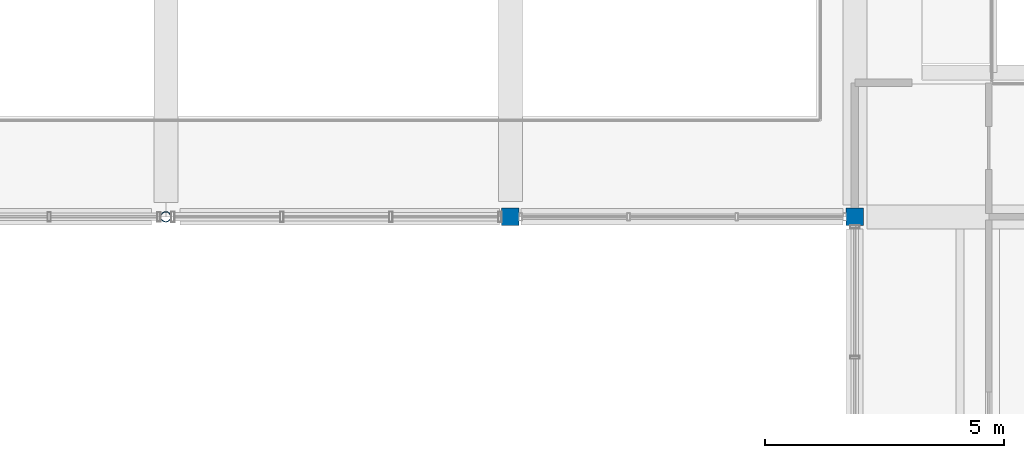
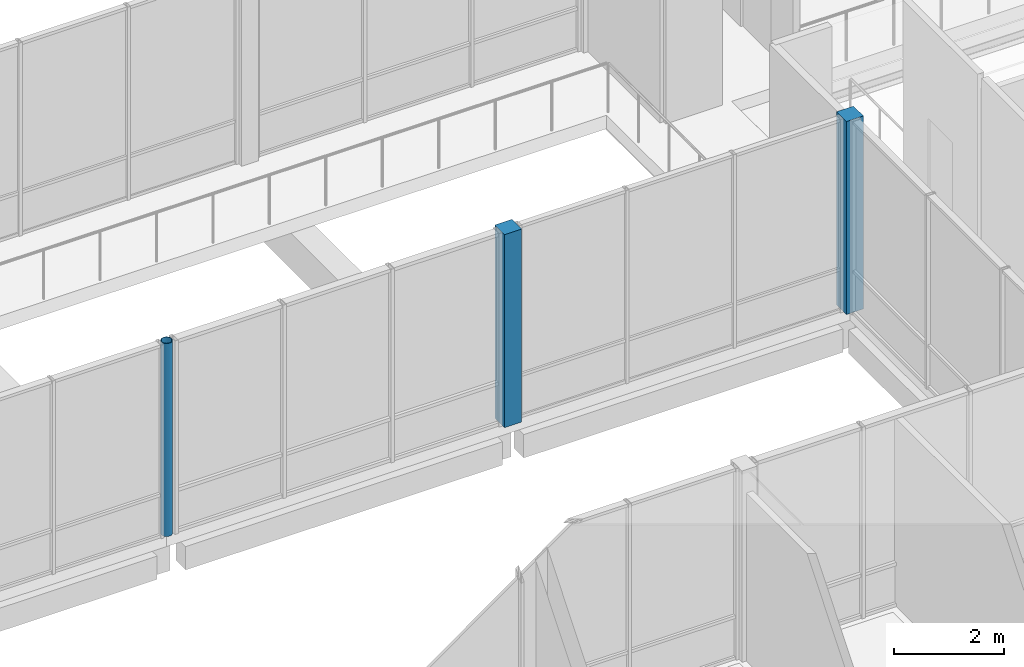
# One storey, part 4 of 146: 3 columns.
"""IFC4 building model written with IfcOpenShell, lengths in metres."""

from ifc_helpers import new_model, si_unit, direction, frame, origin, origin_2d, place, context, subcontext, project, spatial, rectangle, hollow_circle, extrude, material, material_profile, profile_set, type_object, element, save


model = new_model("IFC4")

# Units and contexts
model_context = context("Model", 3, precision=1e-05, world=origin(), true_north=direction((0.0, 1.0)))
body_context = subcontext(model_context, "Body", "Model", "MODEL_VIEW")
ifc_project = project(units=[si_unit("LENGTHUNIT", "METRE"), si_unit("AREAUNIT", "SQUARE_METRE"), si_unit("VOLUMEUNIT", "CUBIC_METRE"), si_unit("PLANEANGLEUNIT", "RADIAN"), si_unit("MASSUNIT", "GRAM", prefix="KILO")], contexts=[model_context])

# Site, building, storey
site_placement = place(None, origin())
site = spatial("IfcSite", under=ifc_project, at=site_placement, CompositionType="ELEMENT")
building_placement = place(site_placement, origin())
building = spatial("IfcBuilding", under=site, at=building_placement, Name="Hawrajan Terrace Health Centre", CompositionType="ELEMENT")
storey_placement = place(building_placement, frame((0.0, 0.0, 4.5)))
storey = spatial("IfcBuildingStorey", under=building, at=storey_placement, Name="L01", CompositionType="ELEMENT", Elevation=4.5)

# Columns
ifc_material_1 = material(Name="Glulam GL32h", Category="wood")
ifc_material_profile_1 = material_profile(ifc_material_1, rectangle(XDim=0.360107421875, YDim=0.360107421875, at=origin_2d()), Name="GL 360x360")
ifc_profile_set_1 = profile_set([ifc_material_profile_1], Name="Glulam GL32h")
column_type_1 = type_object("IfcColumnType", Name="GlulamCol_360x360", PredefinedType="COLUMN", material=ifc_profile_set_1)
for number, where, z_axis, x_axis, name in (
    (1, (55.0, 27.199951171875, 0.0), (0.0, 0.0, 1.0), (1.0, 0.0, 0.0), "Column COL-L01-W-X08-Y4"),
    (2, (62.199951171875, 27.199951171875, 0.0), (0.0, 0.0, 1.0), (1.0, 0.0, 0.0), "Column COL-L01-W-X09-Y4"),
):
    element("IfcColumn", number, at=place(storey_placement, frame(where, z_axis=z_axis, x_axis=x_axis)), inside=storey, type_object=column_type_1, Name=name, PredefinedType="COLUMN", context=body_context, shape_type="SweptSolid", body=[
        extrude(rectangle(XDim=0.360107421875, YDim=0.360107421875, at=origin_2d()), origin(), (0.0, 0.0, 1.0), 4.300048828125),
    ])
ifc_material_2 = material(Name="Steel S355", Category="steel")
ifc_material_profile_2 = material_profile(ifc_material_2, hollow_circle(Radius=0.109619140625, WallThickness=0.010009765625, at=origin_2d()), Name="CHS 219.1x10.0")
ifc_profile_set_2 = profile_set([ifc_material_profile_2], Name="Steel S355")
column_type_2 = type_object("IfcColumnType", Name="SteelCol_CHS219", PredefinedType="COLUMN", material=ifc_profile_set_2)
column_placement = place(storey_placement, frame((47.800048828125, 27.199951171875, 0.0), z_axis=(0.0, 0.0, 1.0), x_axis=(1.0, 0.0, 0.0)))
element("IfcColumn", 3, at=column_placement, inside=storey, type_object=column_type_2, Name="Column COL-L01-W-X07-Y4", PredefinedType="COLUMN", context=body_context, shape_type="SweptSolid", body=[
    extrude(hollow_circle(Radius=0.109619140625, WallThickness=0.010009765625, at=origin_2d()), origin(), (0.0, 0.0, 1.0), 4.300048828125),
])

save(model, "model.ifc")
